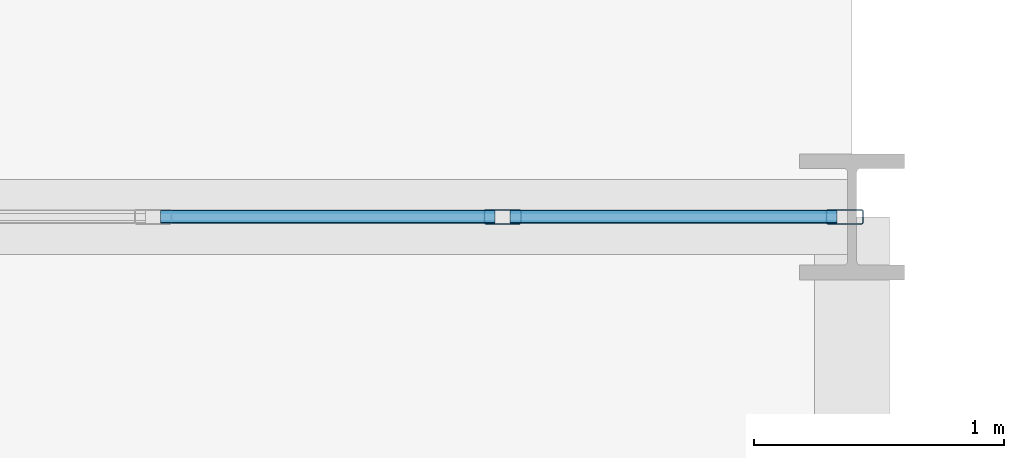
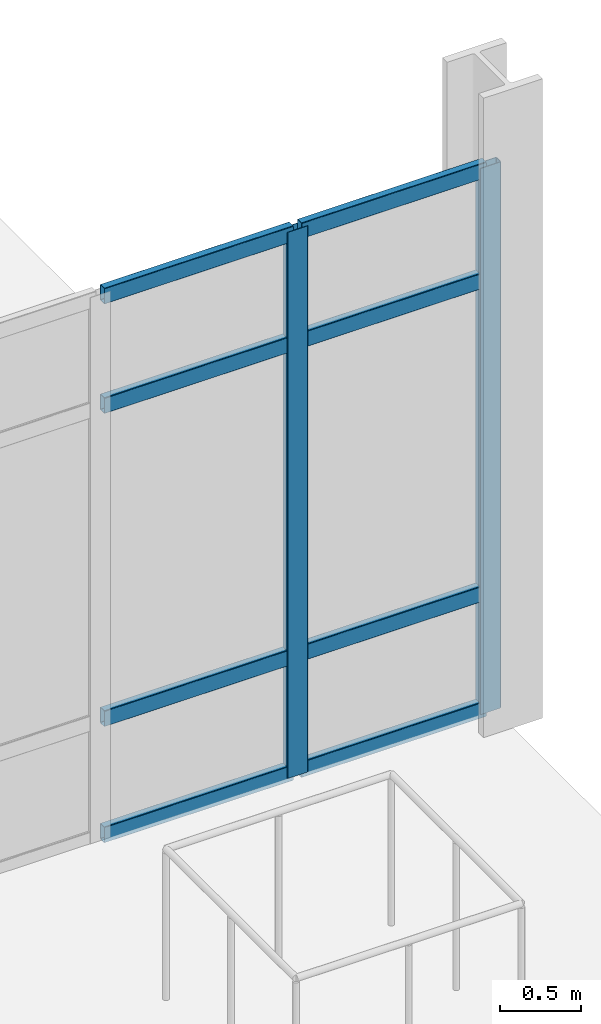
# One storey, part 43 of 145: 10 members, 1 element without a shape of its own.
"""IFC4 building model written with IfcOpenShell, lengths in metres."""

from ifc_helpers import new_model, si_unit, direction, frame, origin, origin_2d, place, context, subcontext, project, spatial, hollow_rectangle, extrude, material, layer, layer_set, material_profile, profile_set, type_object, element, aggregate, save


model = new_model("IFC4")

# Units and contexts
model_context = context("Model", 3, precision=1e-05, world=origin(), true_north=direction((0.0, 1.0)))
body_context = subcontext(model_context, "Body", "Model", "MODEL_VIEW")
ifc_project = project(units=[si_unit("LENGTHUNIT", "METRE"), si_unit("AREAUNIT", "SQUARE_METRE"), si_unit("VOLUMEUNIT", "CUBIC_METRE"), si_unit("PLANEANGLEUNIT", "RADIAN"), si_unit("MASSUNIT", "GRAM", prefix="KILO")], contexts=[model_context])

# Site, building, storey
site_placement = place(None, origin())
site = spatial("IfcSite", under=ifc_project, at=site_placement, CompositionType="ELEMENT")
building_placement = place(site_placement, origin())
building = spatial("IfcBuilding", under=site, at=building_placement, Name="Qalvenar Corner Mobility Hub", CompositionType="ELEMENT")
storey_placement = place(building_placement, origin())
storey = spatial("IfcBuildingStorey", under=building, at=storey_placement, Name="L00", CompositionType="ELEMENT", Elevation=0.0)

# Curtain wall, members
ifc_material_1 = material(Name="Anodised Aluminium and Low-E Glazing", Category="aluminium")
ifc_layer = layer(ifc_material_1, 0.14990234375)
ifc_layer_set = layer_set([ifc_layer], Name="Anodised Aluminium and Low-E Glazing")
curtain_wall_type = type_object("IfcCurtainWallType", Name="CW-CIV-84X46", PredefinedType="NOTDEFINED", material=ifc_layer_set)
curtain_wall_placement = place(storey_placement, origin())
curtain_wall = element("IfcCurtainWall", 1, at=curtain_wall_placement, inside=storey, type_object=curtain_wall_type, Name="Glazed Curtain Wall CW-V3-L00-N005", PredefinedType="NOTDEFINED")
ifc_material_2 = material(Name="Anodised Aluminium 6063-T6", Category="aluminium")
ifc_material_profile_1 = material_profile(ifc_material_2, hollow_rectangle(XDim=0.06005859375, YDim=0.14990234375, WallThickness=0.00390625, InnerFilletRadius=0.00390625, OuterFilletRadius=0.008056640625, at=origin_2d()), Name="RHS150x60x4")
ifc_profile_set_1 = profile_set([ifc_material_profile_1], Name="Anodised Aluminium 6063-T6")
member_type_1 = type_object("IfcMemberType", Name="CW-MUL150", PredefinedType="MULLION", material=ifc_profile_set_1)
member_1_placement = place(storey_placement, frame((50.3701171875, 42.0, 0.0), z_axis=(0.0, 0.0, 1.0), x_axis=(0.0, -1.0, 0.0)))
member_1 = element("IfcMember", 2, at=member_1_placement, type_object=member_type_1, Name="CW-04 mullion 1", PredefinedType="MULLION", context=body_context, shape_type="SweptSolid", body=[
    extrude(hollow_rectangle(XDim=0.06005859375, YDim=0.14990234375, WallThickness=0.00390625, InnerFilletRadius=0.00390625, OuterFilletRadius=0.008056640625, at=origin_2d()), origin(), (0.0, 0.0, 1.0), 4.10009765625),
])
member_2_placement = place(storey_placement, frame((49.0, 42.0, 0.0), z_axis=(0.0, 0.0, 1.0), x_axis=(0.0, -1.0, 0.0)))
member_2 = element("IfcMember", 3, at=member_2_placement, type_object=member_type_1, Name="CW-04 mullion 2", PredefinedType="MULLION", context=body_context, shape_type="SweptSolid", body=[
    extrude(hollow_rectangle(XDim=0.06005859375, YDim=0.14990234375, WallThickness=0.00390625, InnerFilletRadius=0.00390625, OuterFilletRadius=0.008056640625, at=origin_2d()), origin(), (0.0, 0.0, 1.0), 4.10009765625),
])
ifc_material_profile_2 = material_profile(ifc_material_2, hollow_rectangle(XDim=0.054931640625, YDim=0.1201171875, WallThickness=0.00341796875, InnerFilletRadius=0.00341796875, OuterFilletRadius=0.007080078125, at=origin_2d()), Name="RHS120x55x3.5")
ifc_profile_set_2 = profile_set([ifc_material_profile_2], Name="Anodised Aluminium 6063-T6")
member_type_2 = type_object("IfcMemberType", Name="CW-TRN120", PredefinedType="USERDEFINED", material=ifc_profile_set_2)
member_3_placement = place(storey_placement, frame((50.340087890625, 42.0, 0.027587890625), z_axis=(-1.0, 0.0, 0.0), x_axis=(0.0, -1.0, 0.0)))
member_3 = element("IfcMember", 4, at=member_3_placement, type_object=member_type_2, Name="CW-04 transom 1.1", ObjectType="TRANSOM", PredefinedType="USERDEFINED", context=body_context, shape_type="SweptSolid", body=[
    extrude(hollow_rectangle(XDim=0.054931640625, YDim=0.1201171875, WallThickness=0.00341796875, InnerFilletRadius=0.00341796875, OuterFilletRadius=0.007080078125, at=origin_2d()), origin(), (0.0, 0.0, 1.0), 1.31005859375),
])
member_4_placement = place(storey_placement, frame((50.340087890625, 42.0, 0.89990234375), z_axis=(-1.0, 0.0, 0.0), x_axis=(0.0, -1.0, 0.0)))
member_4 = element("IfcMember", 5, at=member_4_placement, type_object=member_type_2, Name="CW-04 transom 1.2", ObjectType="TRANSOM", PredefinedType="USERDEFINED", context=body_context, shape_type="SweptSolid", body=[
    extrude(hollow_rectangle(XDim=0.054931640625, YDim=0.1201171875, WallThickness=0.00341796875, InnerFilletRadius=0.00341796875, OuterFilletRadius=0.007080078125, at=origin_2d()), origin(), (0.0, 0.0, 1.0), 1.31005859375),
])
member_5_placement = place(storey_placement, frame((50.340087890625, 42.0, 3.25), z_axis=(-1.0, 0.0, 0.0), x_axis=(0.0, -1.0, 0.0)))
member_5 = element("IfcMember", 6, at=member_5_placement, type_object=member_type_2, Name="CW-04 transom 1.3", ObjectType="TRANSOM", PredefinedType="USERDEFINED", context=body_context, shape_type="SweptSolid", body=[
    extrude(hollow_rectangle(XDim=0.054931640625, YDim=0.1201171875, WallThickness=0.00341796875, InnerFilletRadius=0.00341796875, OuterFilletRadius=0.007080078125, at=origin_2d()), origin(), (0.0, 0.0, 1.0), 1.31005859375),
])
member_6_placement = place(storey_placement, frame((50.340087890625, 42.0, 4.072509765625), z_axis=(-1.0, 0.0, 0.0), x_axis=(0.0, -1.0, 0.0)))
member_6 = element("IfcMember", 7, at=member_6_placement, type_object=member_type_2, Name="CW-04 transom 1.4", ObjectType="TRANSOM", PredefinedType="USERDEFINED", context=body_context, shape_type="SweptSolid", body=[
    extrude(hollow_rectangle(XDim=0.054931640625, YDim=0.1201171875, WallThickness=0.00341796875, InnerFilletRadius=0.00341796875, OuterFilletRadius=0.007080078125, at=origin_2d()), origin(), (0.0, 0.0, 1.0), 1.31005859375),
])
member_7_placement = place(storey_placement, frame((48.969970703125, 42.0, 0.027587890625), z_axis=(-1.0, 0.0, 0.0), x_axis=(0.0, -1.0, 0.0)))
member_7 = element("IfcMember", 8, at=member_7_placement, type_object=member_type_2, Name="CW-04 transom 2.1", ObjectType="TRANSOM", PredefinedType="USERDEFINED", context=body_context, shape_type="SweptSolid", body=[
    extrude(hollow_rectangle(XDim=0.054931640625, YDim=0.1201171875, WallThickness=0.00341796875, InnerFilletRadius=0.00341796875, OuterFilletRadius=0.007080078125, at=origin_2d()), origin(), (0.0, 0.0, 1.0), 1.340087890625),
])
member_8_placement = place(storey_placement, frame((48.969970703125, 42.0, 0.89990234375), z_axis=(-1.0, 0.0, 0.0), x_axis=(0.0, -1.0, 0.0)))
member_8 = element("IfcMember", 9, at=member_8_placement, type_object=member_type_2, Name="CW-04 transom 2.2", ObjectType="TRANSOM", PredefinedType="USERDEFINED", context=body_context, shape_type="SweptSolid", body=[
    extrude(hollow_rectangle(XDim=0.054931640625, YDim=0.1201171875, WallThickness=0.00341796875, InnerFilletRadius=0.00341796875, OuterFilletRadius=0.007080078125, at=origin_2d()), origin(), (0.0, 0.0, 1.0), 1.340087890625),
])
member_9_placement = place(storey_placement, frame((48.969970703125, 42.0, 3.25), z_axis=(-1.0, 0.0, 0.0), x_axis=(0.0, -1.0, 0.0)))
member_9 = element("IfcMember", 10, at=member_9_placement, type_object=member_type_2, Name="CW-04 transom 2.3", ObjectType="TRANSOM", PredefinedType="USERDEFINED", context=body_context, shape_type="SweptSolid", body=[
    extrude(hollow_rectangle(XDim=0.054931640625, YDim=0.1201171875, WallThickness=0.00341796875, InnerFilletRadius=0.00341796875, OuterFilletRadius=0.007080078125, at=origin_2d()), origin(), (0.0, 0.0, 1.0), 1.340087890625),
])
member_10_placement = place(storey_placement, frame((48.969970703125, 42.0, 4.072509765625), z_axis=(-1.0, 0.0, 0.0), x_axis=(0.0, -1.0, 0.0)))
member_10 = element("IfcMember", 11, at=member_10_placement, type_object=member_type_2, Name="CW-04 transom 2.4", ObjectType="TRANSOM", PredefinedType="USERDEFINED", context=body_context, shape_type="SweptSolid", body=[
    extrude(hollow_rectangle(XDim=0.054931640625, YDim=0.1201171875, WallThickness=0.00341796875, InnerFilletRadius=0.00341796875, OuterFilletRadius=0.007080078125, at=origin_2d()), origin(), (0.0, 0.0, 1.0), 1.340087890625),
])
aggregate(curtain_wall, [member_1, member_2, member_3, member_4, member_5, member_6, member_7, member_8, member_9, member_10])

save(model, "model.ifc")
